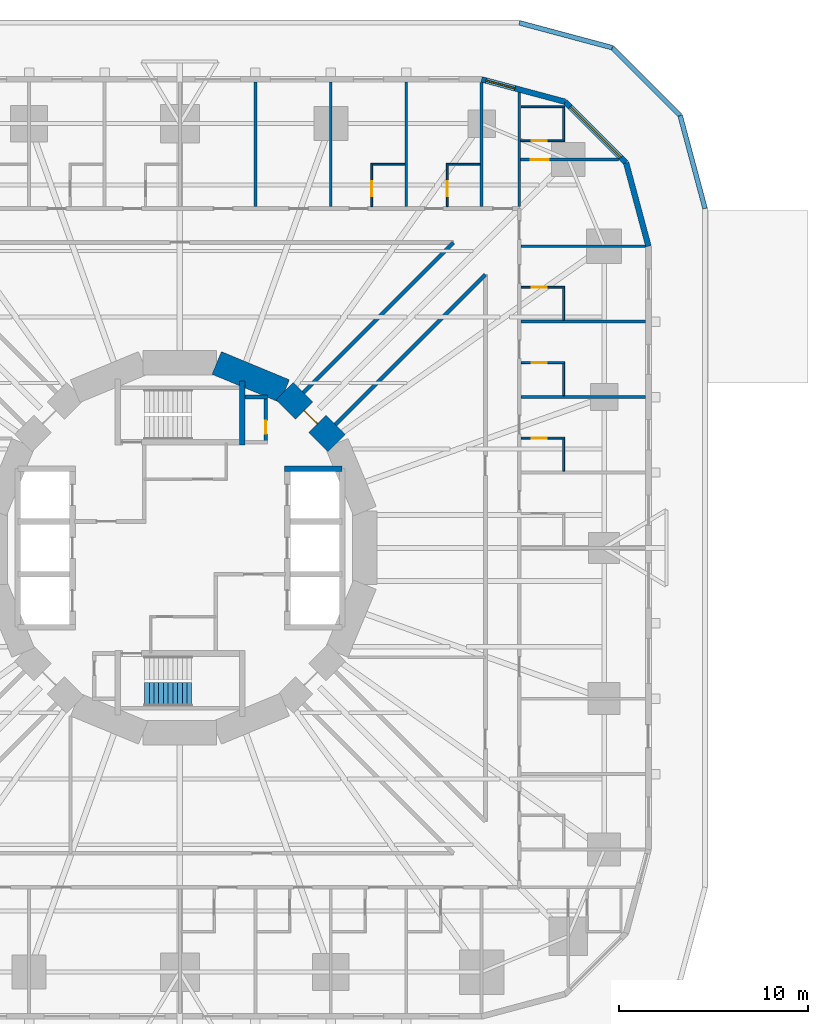
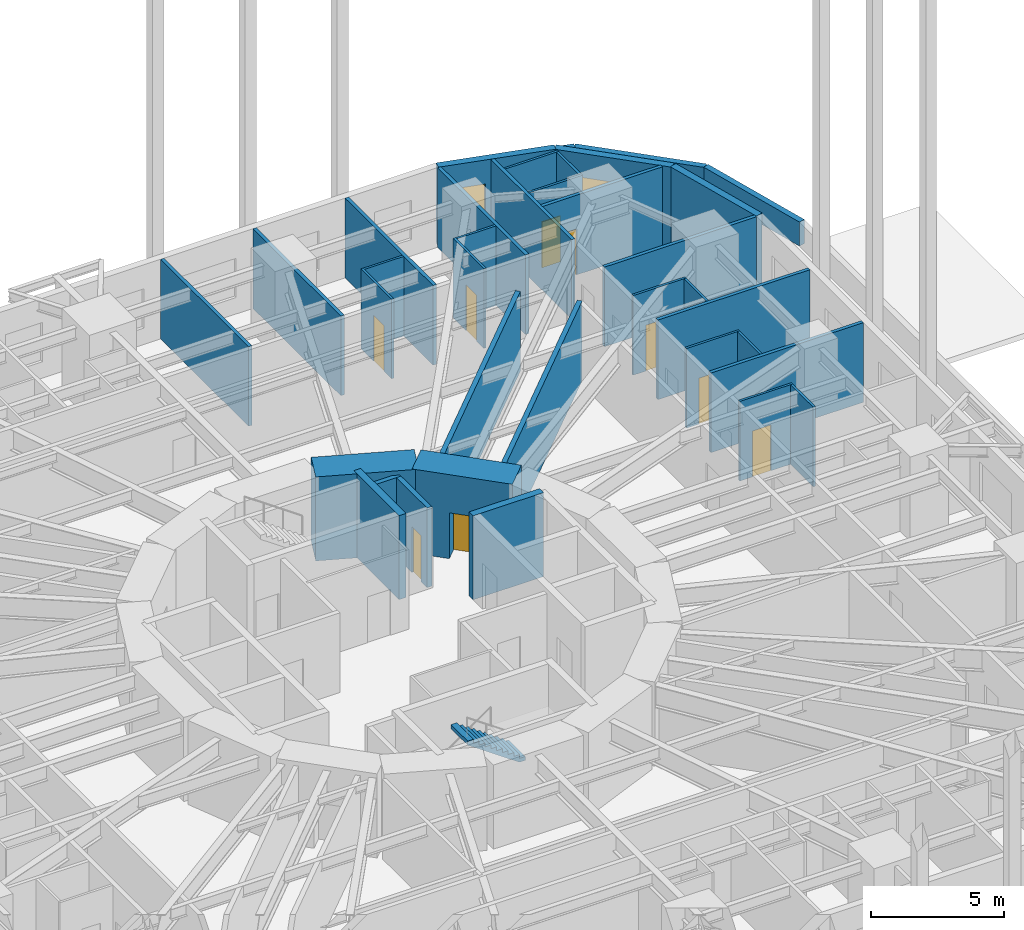
# One storey, part 11 of 13: 36 walls, 9 doors, 2 windows, 1 stair flight, 11 openings, 1 element without a shape of its own.
"""IFC4 building model written with IfcOpenShell, lengths in metres."""

from ifc_helpers import new_model, si_unit, direction, frame, frame_2d, origin, place, context, subcontext, project, spatial, polyline, rectangle, outline, extrude, material, layer, layer_set, type_object, element, fill, aggregate, save


model = new_model("IFC4")

# Units and contexts
model_context = context("Model", 3, precision=1e-05, world=origin(), true_north=direction((0.0, 1.0)))
body_context = subcontext(model_context, "Body", "Model", "MODEL_VIEW")
ifc_project = project(units=[si_unit("LENGTHUNIT", "METRE"), si_unit("AREAUNIT", "SQUARE_METRE"), si_unit("VOLUMEUNIT", "CUBIC_METRE"), si_unit("PLANEANGLEUNIT", "RADIAN"), si_unit("MASSUNIT", "GRAM", prefix="KILO")], contexts=[model_context])

# Site, building, storey
site_placement = place(None, origin())
site = spatial("IfcSite", under=ifc_project, at=site_placement, CompositionType="ELEMENT")
building_placement = place(site_placement, origin())
building = spatial("IfcBuilding", under=site, at=building_placement, Name="Nakasero Lantern House", CompositionType="ELEMENT")
storey_placement = place(building_placement, frame((0.0, 0.0, 16.0)))
storey = spatial("IfcBuildingStorey", under=building, at=storey_placement, Name="L03", CompositionType="ELEMENT", Elevation=16.0)

# Walls
ifc_material_1 = material(Name="Concrete C50/60", Category="concrete")
ifc_layer_1 = layer(ifc_material_1, 0.300048828125)
ifc_layer_set_1 = layer_set([ifc_layer_1], Name="Core inner wall 300")
wall_type_1 = type_object("IfcWallType", Name="Core inner wall 300", PredefinedType="SHEAR", material=ifc_layer_set_1)
wall_1_placement = place(storey_placement, frame((5.550048828125, 4.199951171875, 0.0), z_axis=(0.0, 0.0, 1.0), x_axis=(1.0, 0.0, 0.0)))
element("IfcWall", 1, at=wall_1_placement, inside=storey, type_object=wall_type_1, Name="Core inner wall L03 LEN", PredefinedType="SHEAR", context=body_context, shape_type="SweptSolid", body=[
    extrude(rectangle(XDim=3.050048828125, YDim=0.300048828125, at=frame_2d((1.52490234375, 0.0))), origin(), (0.0, 0.0, 1.0), 3.85009765625),
])
wall_2_placement = place(storey_placement, frame((3.300048828125, 5.449951171875, 0.0), z_axis=(0.0, 0.0, 1.0), x_axis=(0.0, 1.0, 0.0)))
element("IfcWall", 2, at=wall_2_placement, inside=storey, type_object=wall_type_1, Name="Core inner wall L03 SNE", PredefinedType="SHEAR", context=body_context, shape_type="SweptSolid", body=[
    extrude(rectangle(XDim=3.400146484375, YDim=0.300048828125, at=frame_2d((1.7001953125, 0.0))), origin(), (0.0, 0.0, 1.0), 3.85009765625),
])

# Wall, opening, door
ifc_material_2 = material(Name="Concrete C50/60", Category="concrete")
ifc_layer_2 = layer(ifc_material_2, 1.300048828125)
ifc_layer_set_2 = layer_set([ifc_layer_2], Name="Core wall 1300")
wall_type_2 = type_object("IfcWallType", Name="Core wall 1300", PredefinedType="SHEAR", material=ifc_layer_set_2)
wall_3_placement = place(storey_placement, frame((8.314697265625, 5.5556640625, 0.0), z_axis=(0.0, 0.0, 1.0), x_axis=(-0.707106781187, 0.707106781187, 0.0)))
wall_3 = element("IfcWall", 3, at=wall_3_placement, inside=storey, type_object=wall_type_2, Name="Core wall L03 facet 2", PredefinedType="SHEAR", context=body_context, shape_type="SweptSolid", body=[
    extrude(rectangle(XDim=3.90185546875, YDim=1.300048828125, at=frame_2d((1.950927734375, 0.0))), origin(), (0.0, 0.0, 1.0), 3.85009765625),
])
opening_1_placement = place(wall_3_placement, frame((1.450927734375, 0.0, 0.0)))
opening_1 = element("IfcOpeningElement", 4, at=opening_1_placement, cuts=wall_3, Name="Opening D05", PredefinedType="OPENING", context=body_context, shape_type="SweptSolid", body=[
    extrude(rectangle(XDim=1.0, YDim=2.10009765625, at=frame_2d((0.5, 1.050048828125))), frame((0.0, 0.669921875, 0.0), z_axis=(0.0, -1.0, 0.0), x_axis=(1.0, 0.0, 0.0)), (0.0, 0.0, 1.0), 1.340087890625),
])
ifc_material_3 = material(Name="Timber C24", Category="wood")
door_type_1 = type_object("IfcDoorType", Name="Core door FD60S 1000", OperationType="SINGLE_SWING_LEFT", PredefinedType="DOOR", material=ifc_material_3)
door_1_placement = place(opening_1_placement, origin())
door_1 = element("IfcDoor", 5, at=door_1_placement, inside=storey, type_object=door_type_1, Name="Door L03 D-CORE02", OperationType="SINGLE_SWING_LEFT", OverallHeight=2.10009765625, OverallWidth=1.0, PredefinedType="DOOR", context=body_context, shape_type="SweptSolid", body=[
    extrude(rectangle(XDim=1.0, YDim=2.10009765625, at=frame_2d((0.5, 1.050048828125))), frame((0.0, 0.02490234375, 0.0), z_axis=(0.0, -1.0, 0.0), x_axis=(1.0, 0.0, 0.0)), (0.0, 0.0, 1.0), 0.050048828125),
])
fill(opening_1, door_1)

# Walls
wall_4_placement = place(storey_placement, frame((5.5556640625, 8.314697265625, 0.0), z_axis=(0.0, 0.0, 1.0), x_axis=(-0.923876507187, 0.382690736062, 0.0)))
element("IfcWall", 6, at=wall_4_placement, inside=storey, type_object=wall_type_2, Name="Core wall L03 facet 3", PredefinedType="SHEAR", context=body_context, shape_type="SweptSolid", body=[
    extrude(rectangle(XDim=3.90185546875, YDim=1.300048828125, at=frame_2d((1.950927734375, 0.0))), origin(), (0.0, 0.0, 1.0), 3.85009765625),
])
ifc_material_4 = material(Name="Blockwork", Category="masonry")
ifc_layer_3 = layer(ifc_material_4, 0.199951171875)
ifc_layer_set_3 = layer_set([ifc_layer_3], Name="Corridor wall 200")
wall_type_3 = type_object("IfcWallType", Name="Corridor wall 200", PredefinedType="PARTITIONING", material=ifc_layer_set_3)
for number, where, z_axis, x_axis, name in (
    (7, (6.54638671875, 8.243408203125, 0.0), (0.0, 0.0, 1.0), (0.707106781187, 0.707106781187, 0.0), "Corridor wall L03 PS02a"),
    (8, (8.243408203125, 6.54638671875, 0.0), (0.0, 0.0, 1.0), (0.707106781187, 0.707106781187, 0.0), "Corridor wall L03 PS02b"),
):
    element("IfcWall", number, at=place(storey_placement, frame(where, z_axis=z_axis, x_axis=x_axis)), inside=storey, type_object=wall_type_3, Name=name, PredefinedType="PARTITIONING", context=body_context, shape_type="SweptSolid", body=[
        extrude(rectangle(XDim=11.252197265625, YDim=0.199951171875, at=frame_2d((5.6259765625, 0.0))), origin(), (0.0, 0.0, 1.0), 3.64990234375),
    ])

# Wall, opening, door
ifc_material_5 = material(Name="Blockwork", Category="masonry")
ifc_layer_4 = layer(ifc_material_5, 0.10009765625)
ifc_layer_set_4 = layer_set([ifc_layer_4], Name="En-suite wall 100")
wall_type_4 = type_object("IfcWallType", Name="En-suite wall 100", PredefinedType="PARTITIONING", material=ifc_layer_set_4)
wall_5_placement = place(storey_placement, frame((18.10009765625, 5.824951171875, 0.0), z_axis=(0.0, 0.0, 1.0), x_axis=(1.0, 0.0, 0.0)))
wall_5 = element("IfcWall", 9, at=wall_5_placement, inside=storey, type_object=wall_type_4, Name="En-suite wall L03 ES0-06", PredefinedType="PARTITIONING", context=body_context, shape_type="SweptSolid", body=[
    extrude(rectangle(XDim=2.2998046875, YDim=0.10009765625, at=frame_2d((1.14990234375, 0.0))), origin(), (0.0, 0.0, 1.0), 3.64990234375),
])
opening_2_placement = place(wall_5_placement, frame((0.550048828125, 0.0, 0.0)))
opening_2 = element("IfcOpeningElement", 10, at=opening_2_placement, cuts=wall_5, Name="Opening D02", PredefinedType="OPENING", context=body_context, shape_type="SweptSolid", body=[
    extrude(rectangle(XDim=0.800048828125, YDim=2.10009765625, at=frame_2d((0.39990234375, 1.050048828125))), frame((0.0, 0.070068359375, 0.0), z_axis=(0.0, -1.0, 0.0), x_axis=(1.0, 0.0, 0.0)), (0.0, 0.0, 1.0), 0.14013671875),
])
ifc_material_6 = material(Name="Timber C24", Category="wood")
door_type_2 = type_object("IfcDoorType", Name="En-suite door 800", OperationType="SINGLE_SWING_RIGHT", PredefinedType="DOOR", material=ifc_material_6)
door_2_placement = place(opening_2_placement, origin())
door_2 = element("IfcDoor", 11, at=door_2_placement, inside=storey, type_object=door_type_2, Name="Door L03 DE0-06", OperationType="SINGLE_SWING_LEFT", OverallHeight=2.10009765625, OverallWidth=0.800048828125, PredefinedType="DOOR", context=body_context, shape_type="SweptSolid", body=[
    extrude(rectangle(XDim=0.800048828125, YDim=2.10009765625, at=frame_2d((0.39990234375, 1.050048828125))), frame((0.0, 0.02490234375, 0.0), z_axis=(0.0, -1.0, 0.0), x_axis=(1.0, 0.0, 0.0)), (0.0, 0.0, 1.0), 0.050048828125),
])
fill(opening_2, door_2)

# Wall
wall_6_placement = place(storey_placement, frame((20.35009765625, 4.074951171875, 0.0), z_axis=(0.0, 0.0, 1.0), x_axis=(0.0, 1.0, 0.0)))
element("IfcWall", 12, at=wall_6_placement, inside=storey, type_object=wall_type_4, Name="En-suite wall L03 EE0-06", PredefinedType="PARTITIONING", context=body_context, shape_type="SweptSolid", body=[
    extrude(rectangle(XDim=1.699951171875, YDim=0.10009765625, at=frame_2d((0.85009765625, 0.0))), origin(), (0.0, 0.0, 1.0), 3.64990234375),
])

# Wall, opening, door
wall_7_placement = place(storey_placement, frame((18.10009765625, 9.824951171875, 0.0), z_axis=(0.0, 0.0, 1.0), x_axis=(1.0, 0.0, 0.0)))
wall_7 = element("IfcWall", 13, at=wall_7_placement, inside=storey, type_object=wall_type_4, Name="En-suite wall L03 ES0-07", PredefinedType="PARTITIONING", context=body_context, shape_type="SweptSolid", body=[
    extrude(rectangle(XDim=2.2998046875, YDim=0.10009765625, at=frame_2d((1.14990234375, 0.0))), origin(), (0.0, 0.0, 1.0), 3.64990234375),
])
opening_3_placement = place(wall_7_placement, frame((0.550048828125, 0.0, 0.0)))
opening_3 = element("IfcOpeningElement", 14, at=opening_3_placement, cuts=wall_7, Name="Opening D02", PredefinedType="OPENING", context=body_context, shape_type="SweptSolid", body=[
    extrude(rectangle(XDim=0.800048828125, YDim=2.10009765625, at=frame_2d((0.39990234375, 1.050048828125))), frame((0.0, 0.070068359375, 0.0), z_axis=(0.0, -1.0, 0.0), x_axis=(1.0, 0.0, 0.0)), (0.0, 0.0, 1.0), 0.14013671875),
])
door_3_placement = place(opening_3_placement, origin())
door_3 = element("IfcDoor", 15, at=door_3_placement, inside=storey, type_object=door_type_2, Name="Door L03 DE0-07", OperationType="SINGLE_SWING_LEFT", OverallHeight=2.10009765625, OverallWidth=0.800048828125, PredefinedType="DOOR", context=body_context, shape_type="SweptSolid", body=[
    extrude(rectangle(XDim=0.800048828125, YDim=2.10009765625, at=frame_2d((0.39990234375, 1.050048828125))), frame((0.0, 0.02490234375, 0.0), z_axis=(0.0, -1.0, 0.0), x_axis=(1.0, 0.0, 0.0)), (0.0, 0.0, 1.0), 0.050048828125),
])
fill(opening_3, door_3)

# Wall
wall_8_placement = place(storey_placement, frame((20.35009765625, 8.074951171875, 0.0), z_axis=(0.0, 0.0, 1.0), x_axis=(0.0, 1.0, 0.0)))
element("IfcWall", 16, at=wall_8_placement, inside=storey, type_object=wall_type_4, Name="En-suite wall L03 EE0-07", PredefinedType="PARTITIONING", context=body_context, shape_type="SweptSolid", body=[
    extrude(rectangle(XDim=1.699951171875, YDim=0.10009765625, at=frame_2d((0.85009765625, 0.0))), origin(), (0.0, 0.0, 1.0), 3.64990234375),
])

# Wall, opening, door
wall_9_placement = place(storey_placement, frame((18.10009765625, 13.824951171875, 0.0), z_axis=(0.0, 0.0, 1.0), x_axis=(1.0, 0.0, 0.0)))
wall_9 = element("IfcWall", 17, at=wall_9_placement, inside=storey, type_object=wall_type_4, Name="En-suite wall L03 ES0-08", PredefinedType="PARTITIONING", context=body_context, shape_type="SweptSolid", body=[
    extrude(rectangle(XDim=2.2998046875, YDim=0.10009765625, at=frame_2d((1.14990234375, 0.0))), origin(), (0.0, 0.0, 1.0), 3.64990234375),
])
opening_4_placement = place(wall_9_placement, frame((0.550048828125, 0.0, 0.0)))
opening_4 = element("IfcOpeningElement", 18, at=opening_4_placement, cuts=wall_9, Name="Opening D02", PredefinedType="OPENING", context=body_context, shape_type="SweptSolid", body=[
    extrude(rectangle(XDim=0.800048828125, YDim=2.10009765625, at=frame_2d((0.39990234375, 1.050048828125))), frame((0.0, 0.070068359375, 0.0), z_axis=(0.0, -1.0, 0.0), x_axis=(1.0, 0.0, 0.0)), (0.0, 0.0, 1.0), 0.14013671875),
])
door_4_placement = place(opening_4_placement, origin())
door_4 = element("IfcDoor", 19, at=door_4_placement, inside=storey, type_object=door_type_2, Name="Door L03 DE0-08", OperationType="SINGLE_SWING_LEFT", OverallHeight=2.10009765625, OverallWidth=0.800048828125, PredefinedType="DOOR", context=body_context, shape_type="SweptSolid", body=[
    extrude(rectangle(XDim=0.800048828125, YDim=2.10009765625, at=frame_2d((0.39990234375, 1.050048828125))), frame((0.0, 0.02490234375, 0.0), z_axis=(0.0, -1.0, 0.0), x_axis=(1.0, 0.0, 0.0)), (0.0, 0.0, 1.0), 0.050048828125),
])
fill(opening_4, door_4)

# Wall
wall_10_placement = place(storey_placement, frame((20.35009765625, 12.074951171875, 0.0), z_axis=(0.0, 0.0, 1.0), x_axis=(0.0, 1.0, 0.0)))
element("IfcWall", 20, at=wall_10_placement, inside=storey, type_object=wall_type_4, Name="En-suite wall L03 EE0-08", PredefinedType="PARTITIONING", context=body_context, shape_type="SweptSolid", body=[
    extrude(rectangle(XDim=1.699951171875, YDim=0.10009765625, at=frame_2d((0.85009765625, 0.0))), origin(), (0.0, 0.0, 1.0), 3.64990234375),
])

# Wall, opening, door
wall_11_placement = place(storey_placement, frame((18.06494140625, 21.59619140625, 0.0), z_axis=(0.0, 0.0, 1.0), x_axis=(1.0, 0.0, 0.0)))
wall_11 = element("IfcWall", 21, at=wall_11_placement, inside=storey, type_object=wall_type_4, Name="En-suite wall L03 ES0-09", PredefinedType="PARTITIONING", context=body_context, shape_type="SweptSolid", body=[
    extrude(rectangle(XDim=2.3349609375, YDim=0.10009765625, at=frame_2d((1.16748046875, 0.0))), origin(), (0.0, 0.0, 1.0), 3.64990234375),
])
opening_5_placement = place(wall_11_placement, frame((0.5849609375, 0.0, 0.0)))
opening_5 = element("IfcOpeningElement", 22, at=opening_5_placement, cuts=wall_11, Name="Opening D02", PredefinedType="OPENING", context=body_context, shape_type="SweptSolid", body=[
    extrude(rectangle(XDim=0.800048828125, YDim=2.10009765625, at=frame_2d((0.39990234375, 1.050048828125))), frame((0.0, 0.070068359375, 0.0), z_axis=(0.0, -1.0, 0.0), x_axis=(1.0, 0.0, 0.0)), (0.0, 0.0, 1.0), 0.14013671875),
])
door_5_placement = place(opening_5_placement, origin())
door_5 = element("IfcDoor", 23, at=door_5_placement, inside=storey, type_object=door_type_2, Name="Door L03 DE0-09", OperationType="SINGLE_SWING_LEFT", OverallHeight=2.10009765625, OverallWidth=0.800048828125, PredefinedType="DOOR", context=body_context, shape_type="SweptSolid", body=[
    extrude(rectangle(XDim=0.800048828125, YDim=2.10009765625, at=frame_2d((0.39990234375, 1.050048828125))), frame((0.0, 0.02490234375, 0.0), z_axis=(0.0, -1.0, 0.0), x_axis=(1.0, 0.0, 0.0)), (0.0, 0.0, 1.0), 0.050048828125),
])
fill(opening_5, door_5)

# Walls
wall_12_placement = place(storey_placement, frame((20.35009765625, 21.646240234375, 0.0), z_axis=(0.0, 0.0, 1.0), x_axis=(0.0, 1.0, 0.0)))
element("IfcWall", 24, at=wall_12_placement, inside=storey, type_object=wall_type_4, Name="En-suite wall L03 EE0-09", PredefinedType="PARTITIONING", context=body_context, shape_type="SweptSolid", body=[
    extrude(rectangle(XDim=1.699951171875, YDim=0.10009765625, at=frame_2d((0.85009765625, 0.0))), origin(), (0.0, 0.0, 1.0), 3.64990234375),
])
wall_13_placement = place(storey_placement, frame((18.10009765625, 23.396240234375, 0.0), z_axis=(0.0, 0.0, 1.0), x_axis=(1.0, 0.0, 0.0)))
element("IfcWall", 25, at=wall_13_placement, inside=storey, type_object=wall_type_4, Name="En-suite wall L03 EV0-09", PredefinedType="PARTITIONING", context=body_context, shape_type="SweptSolid", body=[
    extrude(rectangle(XDim=2.2998046875, YDim=0.10009765625, at=frame_2d((1.14990234375, 0.0))), origin(), (0.0, 0.0, 1.0), 3.64990234375),
])

# Wall, opening, door
wall_14_placement = place(storey_placement, frame((14.175048828125, 18.10009765625, 0.0), z_axis=(0.0, 0.0, 1.0), x_axis=(0.0, 1.0, 0.0)))
wall_14 = element("IfcWall", 26, at=wall_14_placement, inside=storey, type_object=wall_type_4, Name="En-suite wall L03 ES1-01", PredefinedType="PARTITIONING", context=body_context, shape_type="SweptSolid", body=[
    extrude(rectangle(XDim=2.2998046875, YDim=0.10009765625, at=frame_2d((1.14990234375, 0.0))), origin(), (0.0, 0.0, 1.0), 3.64990234375),
])
opening_6_placement = place(wall_14_placement, frame((0.550048828125, 0.0, 0.0)))
opening_6 = element("IfcOpeningElement", 27, at=opening_6_placement, cuts=wall_14, Name="Opening D02", PredefinedType="OPENING", context=body_context, shape_type="SweptSolid", body=[
    extrude(rectangle(XDim=0.800048828125, YDim=2.10009765625, at=frame_2d((0.39990234375, 1.050048828125))), frame((0.0, 0.070068359375, 0.0), z_axis=(0.0, -1.0, 0.0), x_axis=(1.0, 0.0, 0.0)), (0.0, 0.0, 1.0), 0.14013671875),
])
door_6_placement = place(opening_6_placement, origin())
door_6 = element("IfcDoor", 28, at=door_6_placement, inside=storey, type_object=door_type_2, Name="Door L03 DE1-01", OperationType="SINGLE_SWING_LEFT", OverallHeight=2.10009765625, OverallWidth=0.800048828125, PredefinedType="DOOR", context=body_context, shape_type="SweptSolid", body=[
    extrude(rectangle(XDim=0.800048828125, YDim=2.10009765625, at=frame_2d((0.39990234375, 1.050048828125))), frame((0.0, 0.02490234375, 0.0), z_axis=(0.0, -1.0, 0.0), x_axis=(1.0, 0.0, 0.0)), (0.0, 0.0, 1.0), 0.050048828125),
])
fill(opening_6, door_6)

# Wall
wall_15_placement = place(storey_placement, frame((15.925048828125, 20.35009765625, 0.0), z_axis=(0.0, 0.0, 1.0), x_axis=(-1.0, 0.0, 0.0)))
element("IfcWall", 29, at=wall_15_placement, inside=storey, type_object=wall_type_4, Name="En-suite wall L03 EE1-01", PredefinedType="PARTITIONING", context=body_context, shape_type="SweptSolid", body=[
    extrude(rectangle(XDim=1.699951171875, YDim=0.10009765625, at=frame_2d((0.85009765625, 0.0))), origin(), (0.0, 0.0, 1.0), 3.64990234375),
])

# Wall, opening, door
wall_16_placement = place(storey_placement, frame((10.175048828125, 18.10009765625, 0.0), z_axis=(0.0, 0.0, 1.0), x_axis=(0.0, 1.0, 0.0)))
wall_16 = element("IfcWall", 30, at=wall_16_placement, inside=storey, type_object=wall_type_4, Name="En-suite wall L03 ES1-02", PredefinedType="PARTITIONING", context=body_context, shape_type="SweptSolid", body=[
    extrude(rectangle(XDim=2.2998046875, YDim=0.10009765625, at=frame_2d((1.14990234375, 0.0))), origin(), (0.0, 0.0, 1.0), 3.64990234375),
])
opening_7_placement = place(wall_16_placement, frame((0.550048828125, 0.0, 0.0)))
opening_7 = element("IfcOpeningElement", 31, at=opening_7_placement, cuts=wall_16, Name="Opening D02", PredefinedType="OPENING", context=body_context, shape_type="SweptSolid", body=[
    extrude(rectangle(XDim=0.800048828125, YDim=2.10009765625, at=frame_2d((0.39990234375, 1.050048828125))), frame((0.0, 0.070068359375, 0.0), z_axis=(0.0, -1.0, 0.0), x_axis=(1.0, 0.0, 0.0)), (0.0, 0.0, 1.0), 0.14013671875),
])
door_7_placement = place(opening_7_placement, origin())
door_7 = element("IfcDoor", 32, at=door_7_placement, inside=storey, type_object=door_type_2, Name="Door L03 DE1-02", OperationType="SINGLE_SWING_LEFT", OverallHeight=2.10009765625, OverallWidth=0.800048828125, PredefinedType="DOOR", context=body_context, shape_type="SweptSolid", body=[
    extrude(rectangle(XDim=0.800048828125, YDim=2.10009765625, at=frame_2d((0.39990234375, 1.050048828125))), frame((0.0, 0.02490234375, 0.0), z_axis=(0.0, -1.0, 0.0), x_axis=(1.0, 0.0, 0.0)), (0.0, 0.0, 1.0), 0.050048828125),
])
fill(opening_7, door_7)

# Walls
wall_17_placement = place(storey_placement, frame((11.925048828125, 20.35009765625, 0.0), z_axis=(0.0, 0.0, 1.0), x_axis=(-1.0, 0.0, 0.0)))
element("IfcWall", 33, at=wall_17_placement, inside=storey, type_object=wall_type_4, Name="En-suite wall L03 EE1-02", PredefinedType="PARTITIONING", context=body_context, shape_type="SweptSolid", body=[
    extrude(rectangle(XDim=1.699951171875, YDim=0.10009765625, at=frame_2d((0.85009765625, 0.0))), origin(), (0.0, 0.0, 1.0), 3.64990234375),
])
ifc_material_7 = material(Name="Aluminium rainscreen on blockwork", Category="masonry")
ifc_layer_5 = layer(ifc_material_7, 0.300048828125)
ifc_layer_set_5 = layer_set([ifc_layer_5], Name="Facade wall 300")
wall_type_5 = type_object("IfcWallType", Name="Facade wall 300", PredefinedType="SOLIDWALL", material=ifc_layer_set_5)
wall_18_placement = place(storey_placement, frame((24.85009765625, 16.0, 0.0), z_axis=(0.0, 0.0, 1.0), x_axis=(-0.258839972501, 0.965920218567, 0.0)))
element("IfcWall", 34, at=wall_18_placement, inside=storey, type_object=wall_type_5, Name="Facade wall L03 FW0C1", PredefinedType="SOLIDWALL", context=body_context, shape_type="SweptSolid", body=[
    extrude(rectangle(XDim=4.5810546875, YDim=0.300048828125, at=frame_2d((2.29052734375, 0.0))), origin(), (0.0, 0.0, 1.0), 3.64990234375),
])

# Wall, opening, window
wall_19_placement = place(storey_placement, frame((23.664306640625, 20.425048828125, 0.0), z_axis=(0.0, 0.0, 1.0), x_axis=(-0.707106781187, 0.707106781187, 0.0)))
wall_19 = element("IfcWall", 35, at=wall_19_placement, inside=storey, type_object=wall_type_5, Name="Facade wall L03 FW0C2", PredefinedType="SOLIDWALL", context=body_context, shape_type="SweptSolid", body=[
    extrude(rectangle(XDim=4.5810546875, YDim=0.300048828125, at=frame_2d((2.29052734375, 0.0))), origin(), (0.0, 0.0, 1.0), 3.64990234375),
])
opening_8_placement = place(wall_19_placement, frame((0.39990234375, 0.0, 0.75)))
opening_8 = element("IfcOpeningElement", 36, at=opening_8_placement, cuts=wall_19, Name="Opening W237", PredefinedType="OPENING", context=body_context, shape_type="SweptSolid", body=[
    extrude(rectangle(XDim=3.781005859375, YDim=1.800048828125, at=frame_2d((1.890625, 0.89990234375))), frame((0.0, 0.169921875, 0.0), z_axis=(0.0, -1.0, 0.0), x_axis=(1.0, 0.0, 0.0)), (0.0, 0.0, 1.0), 0.340087890625),
])
ifc_material_8 = material(Name="Aluminium 6063-T6 and glass", Category="aluminium")
window_type_1 = type_object("IfcWindowType", Name="Corner window 3781x1800", PartitioningType="SINGLE_PANEL", PredefinedType="WINDOW", material=ifc_material_8)
window_1_placement = place(opening_8_placement, origin())
window_1 = element("IfcWindow", 37, at=window_1_placement, inside=storey, type_object=window_type_1, Name="Window L03 WC0", OverallHeight=1.800048828125, OverallWidth=3.781005859375, PartitioningType="SINGLE_PANEL", PredefinedType="WINDOW", context=body_context, shape_type="SweptSolid", body=[
    extrude(rectangle(XDim=3.781005859375, YDim=1.800048828125, at=frame_2d((1.890625, 0.89990234375))), frame((0.0, 0.030029296875, 0.0), z_axis=(0.0, -1.0, 0.0), x_axis=(1.0, 0.0, 0.0)), (0.0, 0.0, 1.0), 0.06005859375),
])
fill(opening_8, window_1)

wall_20_placement = place(storey_placement, frame((20.425048828125, 23.664306640625, 0.0), z_axis=(0.0, 0.0, 1.0), x_axis=(-0.965920218567, 0.258839972501, 0.0)))
wall_20 = element("IfcWall", 38, at=wall_20_placement, inside=storey, type_object=wall_type_5, Name="Facade wall L03 FW0C3", PredefinedType="SOLIDWALL", context=body_context, shape_type="SweptSolid", body=[
    extrude(rectangle(XDim=4.5810546875, YDim=0.300048828125, at=frame_2d((2.29052734375, 0.0))), origin(), (0.0, 0.0, 1.0), 3.64990234375),
])
opening_9_placement = place(wall_20_placement, frame((2.74609375, 0.0, 0.75)))
opening_9 = element("IfcOpeningElement", 39, at=opening_9_placement, cuts=wall_20, Name="Opening W01", PredefinedType="OPENING", context=body_context, shape_type="SweptSolid", body=[
    extrude(rectangle(XDim=1.60009765625, YDim=1.800048828125, at=frame_2d((0.800048828125, 0.89990234375))), frame((0.0, 0.169921875, 0.0), z_axis=(0.0, -1.0, 0.0), x_axis=(1.0, 0.0, 0.0)), (0.0, 0.0, 1.0), 0.340087890625),
])
ifc_material_9 = material(Name="Aluminium 6063-T6 and glass", Category="aluminium")
window_type_2 = type_object("IfcWindowType", Name="Bedroom window 1600x1800", PartitioningType="SINGLE_PANEL", PredefinedType="WINDOW", material=ifc_material_9)
window_2_placement = place(opening_9_placement, origin())
window_2 = element("IfcWindow", 40, at=window_2_placement, inside=storey, type_object=window_type_2, Name="Window L03 WN1-00", OverallHeight=1.800048828125, OverallWidth=1.60009765625, PartitioningType="SINGLE_PANEL", PredefinedType="WINDOW", context=body_context, shape_type="SweptSolid", body=[
    extrude(rectangle(XDim=1.60009765625, YDim=1.800048828125, at=frame_2d((0.800048828125, 0.89990234375))), frame((0.0, 0.030029296875, 0.0), z_axis=(0.0, -1.0, 0.0), x_axis=(1.0, 0.0, 0.0)), (0.0, 0.0, 1.0), 0.06005859375),
])
fill(opening_9, window_2)

# Wall, opening, door
ifc_material_10 = material(Name="Blockwork", Category="masonry")
ifc_layer_6 = layer(ifc_material_10, 0.199951171875)
ifc_layer_set_6 = layer_set([ifc_layer_6], Name="Fire lobby wall 200")
wall_type_6 = type_object("IfcWallType", Name="Fire lobby wall 200", PredefinedType="PARTITIONING", material=ifc_layer_set_6)
wall_21_placement = place(storey_placement, frame((4.550048828125, 5.60009765625, 0.0), z_axis=(0.0, 0.0, 1.0), x_axis=(0.0, 1.0, 0.0)))
wall_21 = element("IfcWall", 41, at=wall_21_placement, inside=storey, type_object=wall_type_6, Name="Fire lobby wall L03 W-RS1E", PredefinedType="PARTITIONING", context=body_context, shape_type="SweptSolid", body=[
    extrude(rectangle(XDim=2.39990234375, YDim=0.199951171875, at=frame_2d((1.199951171875, 0.0))), origin(), (0.0, 0.0, 1.0), 3.64990234375),
])
opening_10_placement = place(wall_21_placement, frame((0.449951171875, 0.0, 0.0)))
opening_10 = element("IfcOpeningElement", 42, at=opening_10_placement, cuts=wall_21, Name="Opening D06", PredefinedType="OPENING", context=body_context, shape_type="SweptSolid", body=[
    extrude(rectangle(XDim=0.699951171875, YDim=2.10009765625, at=frame_2d((0.35009765625, 1.050048828125))), frame((0.0, 0.119873046875, 0.0), z_axis=(0.0, -1.0, 0.0), x_axis=(1.0, 0.0, 0.0)), (0.0, 0.0, 1.0), 0.239990234375),
])
ifc_material_11 = material(Name="Steel S355", Category="steel")
door_type_3 = type_object("IfcDoorType", Name="Riser door FD60 700", OperationType="SINGLE_SWING_LEFT", PredefinedType="DOOR", material=ifc_material_11)
door_8_placement = place(opening_10_placement, origin())
door_8 = element("IfcDoor", 43, at=door_8_placement, inside=storey, type_object=door_type_3, Name="Door L03 D-RS1", OperationType="SINGLE_SWING_LEFT", OverallHeight=2.10009765625, OverallWidth=0.699951171875, PredefinedType="DOOR", context=body_context, shape_type="SweptSolid", body=[
    extrude(rectangle(XDim=0.699951171875, YDim=2.10009765625, at=frame_2d((0.35009765625, 1.050048828125))), frame((0.0, 0.02490234375, 0.0), z_axis=(0.0, -1.0, 0.0), x_axis=(1.0, 0.0, 0.0)), (0.0, 0.0, 1.0), 0.050048828125),
])
fill(opening_10, door_8)

# Walls
wall_22_placement = place(storey_placement, frame((3.449951171875, 8.0, 0.0), z_axis=(0.0, 0.0, 1.0), x_axis=(1.0, 0.0, 0.0)))
element("IfcWall", 44, at=wall_22_placement, inside=storey, type_object=wall_type_6, Name="Fire lobby wall L03 W-RS1N", PredefinedType="PARTITIONING", context=body_context, shape_type="SweptSolid", body=[
    extrude(rectangle(XDim=1.199951171875, YDim=0.199951171875, at=frame_2d((0.60009765625, 0.0))), origin(), (0.0, 0.0, 1.0), 3.64990234375),
])
ifc_material_12 = material(Name="Concrete C35/45", Category="concrete")
ifc_layer_7 = layer(ifc_material_12, 0.25)
ifc_layer_set_7 = layer_set([ifc_layer_7], Name="Parapet 250")
wall_type_7 = type_object("IfcWallType", Name="Parapet 250", PredefinedType="SOLIDWALL", material=ifc_layer_set_7)
wall_23_placement = place(storey_placement, frame((27.85009765625, 18.0, 0.0), z_axis=(0.0, 0.0, 1.0), x_axis=(-0.25884857203, 0.965917914089, 0.0)))
element("IfcWall", 45, at=wall_23_placement, inside=storey, type_object=wall_type_7, Name="Parapet L03 PP0C1", PredefinedType="SOLIDWALL", context=body_context, shape_type="SweptSolid", body=[
    extrude(rectangle(XDim=5.098876953125, YDim=0.25, at=frame_2d((2.54931640625, 0.0))), origin(), (0.0, 0.0, 1.0), 1.10009765625),
])
wall_24_placement = place(storey_placement, frame((26.5302734375, 22.925048828125, 0.0), z_axis=(0.0, 0.0, 1.0), x_axis=(-0.707106781187, 0.707106781187, 0.0)))
element("IfcWall", 46, at=wall_24_placement, inside=storey, type_object=wall_type_7, Name="Parapet L03 PP0C2", PredefinedType="SOLIDWALL", context=body_context, shape_type="SweptSolid", body=[
    extrude(rectangle(XDim=5.0986328125, YDim=0.25, at=frame_2d((2.54931640625, 0.0))), origin(), (0.0, 0.0, 1.0), 1.10009765625),
])
wall_25_placement = place(storey_placement, frame((22.925048828125, 26.5302734375, 0.0), z_axis=(0.0, 0.0, 1.0), x_axis=(-0.965917914089, 0.25884857203, 0.0)))
element("IfcWall", 47, at=wall_25_placement, inside=storey, type_object=wall_type_7, Name="Parapet L03 PP0C3", PredefinedType="SOLIDWALL", context=body_context, shape_type="SweptSolid", body=[
    extrude(rectangle(XDim=5.098876953125, YDim=0.25, at=frame_2d((2.54931640625, 0.0))), origin(), (0.0, 0.0, 1.0), 1.10009765625),
])
ifc_material_13 = material(Name="Blockwork", Category="masonry")
ifc_layer_8 = layer(ifc_material_13, 0.14990234375)
ifc_layer_set_8 = layer_set([ifc_layer_8], Name="Party wall 150")
wall_type_8 = type_object("IfcWallType", Name="Party wall 150", PredefinedType="PARTITIONING", material=ifc_layer_set_8)
for number, where, z_axis, x_axis, name in (
    (48, (18.10009765625, 8.0, 0.0), (0.0, 0.0, 1.0), (1.0, 0.0, 0.0), "Party wall L03 PW0-07"),
    (49, (18.10009765625, 12.0, 0.0), (0.0, 0.0, 1.0), (1.0, 0.0, 0.0), "Party wall L03 PW0-08"),
):
    element("IfcWall", number, at=place(storey_placement, frame(where, z_axis=z_axis, x_axis=x_axis)), inside=storey, type_object=wall_type_8, Name=name, PredefinedType="PARTITIONING", context=body_context, shape_type="SweptSolid", body=[
        extrude(rectangle(XDim=6.599853515625, YDim=0.14990234375, at=frame_2d((3.2998046875, 0.0))), origin(), (0.0, 0.0, 1.0), 3.64990234375),
    ])
wall_26_placement = place(storey_placement, frame((18.10009765625, 16.0, 0.0), z_axis=(0.0, 0.0, 1.0), x_axis=(1.0, 0.0, 0.0)))
element("IfcWall", 50, at=wall_26_placement, inside=storey, type_object=wall_type_8, Name="Party wall L03 PW0-09", PredefinedType="PARTITIONING", context=body_context, shape_type="SweptSolid", body=[
    extrude(rectangle(XDim=6.58935546875, YDim=0.14990234375, at=frame_2d((3.294677734375, 0.0))), origin(), (0.0, 0.0, 1.0), 3.64990234375),
])

# Wall, opening, door
wall_27_placement = place(storey_placement, frame((18.06494140625, 20.59619140625, 0.0), z_axis=(0.0, 0.0, 1.0), x_axis=(1.0, 0.0, 0.0)))
wall_27 = element("IfcWall", 51, at=wall_27_placement, inside=storey, type_object=wall_type_8, Name="Party wall L03 PC0", PredefinedType="PARTITIONING", context=body_context, shape_type="SweptSolid", body=[
    extrude(rectangle(XDim=5.208740234375, YDim=0.14990234375, at=frame_2d((2.6044921875, 0.0))), origin(), (0.0, 0.0, 1.0), 3.64990234375),
])
opening_11_placement = place(wall_27_placement, frame((0.534912109375, 0.0, 0.0)))
opening_11 = element("IfcOpeningElement", 52, at=opening_11_placement, cuts=wall_27, Name="Opening D01", PredefinedType="OPENING", context=body_context, shape_type="SweptSolid", body=[
    extrude(rectangle(XDim=0.949951171875, YDim=2.10009765625, at=frame_2d((0.47509765625, 1.050048828125))), frame((0.0, 0.094970703125, 0.0), z_axis=(0.0, -1.0, 0.0), x_axis=(1.0, 0.0, 0.0)), (0.0, 0.0, 1.0), 0.18994140625),
])
ifc_material_14 = material(Name="Timber C24", Category="wood")
door_type_4 = type_object("IfcDoorType", Name="Bedroom door FD30S 950", OperationType="SINGLE_SWING_LEFT", PredefinedType="DOOR", material=ifc_material_14)
door_9_placement = place(opening_11_placement, origin())
door_9 = element("IfcDoor", 53, at=door_9_placement, inside=storey, type_object=door_type_4, Name="Door L03 DC0", OperationType="SINGLE_SWING_LEFT", OverallHeight=2.10009765625, OverallWidth=0.949951171875, PredefinedType="DOOR", context=body_context, shape_type="SweptSolid", body=[
    extrude(rectangle(XDim=0.949951171875, YDim=2.10009765625, at=frame_2d((0.47509765625, 1.050048828125))), frame((0.0, 0.02490234375, 0.0), z_axis=(0.0, -1.0, 0.0), x_axis=(1.0, 0.0, 0.0)), (0.0, 0.0, 1.0), 0.050048828125),
])
fill(opening_11, door_9)

# Walls
wall_28_placement = place(storey_placement, frame((18.0, 18.10009765625, 0.0), z_axis=(0.0, 0.0, 1.0), x_axis=(0.0, 1.0, 0.0)))
element("IfcWall", 54, at=wall_28_placement, inside=storey, type_object=wall_type_8, Name="Party wall L03 PW1-00", PredefinedType="PARTITIONING", context=body_context, shape_type="SweptSolid", body=[
    extrude(rectangle(XDim=6.053466796875, YDim=0.14990234375, at=frame_2d((3.02685546875, 0.0))), origin(), (0.0, 0.0, 1.0), 3.64990234375),
])
wall_29_placement = place(storey_placement, frame((16.0, 18.10009765625, 0.0), z_axis=(0.0, 0.0, 1.0), x_axis=(0.0, 1.0, 0.0)))
element("IfcWall", 55, at=wall_29_placement, inside=storey, type_object=wall_type_8, Name="Party wall L03 PW1-01", PredefinedType="PARTITIONING", context=body_context, shape_type="SweptSolid", body=[
    extrude(rectangle(XDim=6.58935546875, YDim=0.14990234375, at=frame_2d((3.294677734375, 0.0))), origin(), (0.0, 0.0, 1.0), 3.64990234375),
])
for number, where, z_axis, x_axis, name in (
    (56, (12.0, 18.10009765625, 0.0), (0.0, 0.0, 1.0), (0.0, 1.0, 0.0), "Party wall L03 PW1-02"),
    (57, (8.0, 18.10009765625, 0.0), (0.0, 0.0, 1.0), (0.0, 1.0, 0.0), "Party wall L03 PW1-03"),
    (58, (4.0, 18.10009765625, 0.0), (0.0, 0.0, 1.0), (0.0, 1.0, 0.0), "Party wall L03 PW1-04"),
):
    element("IfcWall", number, at=place(storey_placement, frame(where, z_axis=z_axis, x_axis=x_axis)), inside=storey, type_object=wall_type_8, Name=name, PredefinedType="PARTITIONING", context=body_context, shape_type="SweptSolid", body=[
        extrude(rectangle(XDim=6.599853515625, YDim=0.14990234375, at=frame_2d((3.2998046875, 0.0))), origin(), (0.0, 0.0, 1.0), 3.64990234375),
    ])

# Stair, stair flight
ifc_material_15 = material(Name="Concrete C40/50", Category="concrete")
stair_type = type_object("IfcStairType", Name="Escape stair ST2 22 risers", PredefinedType="HALF_TURN_STAIR", material=ifc_material_15)
stair_placement = place(storey_placement, origin())
stair = element("IfcStair", 59, at=stair_placement, inside=storey, type_object=stair_type, Name="Escape stair ST2 L03", PredefinedType="HALF_TURN_STAIR")
ifc_material_16 = material(Name="Concrete C40/50", Category="concrete")
stair_flight_type = type_object("IfcStairFlightType", Name="Escape stair flight", PredefinedType="STRAIGHT", material=ifc_material_16)
stair_flight_placement = place(storey_placement, frame((0.625, -7.77490234375, 1.925048828125), z_axis=(0.0, 0.0, 1.0), x_axis=(-1.0, 0.0, 0.0)))
stair_flight = element("IfcStairFlight", 60, at=stair_flight_placement, type_object=stair_flight_type, Name="ST2 flight 2", NumberOfRisers=11, NumberOfTreads=10, PredefinedType="STRAIGHT", RiserHeight=0.175, TreadLength=0.25, context=body_context, shape_type="SweptSolid", body=[
    extrude(outline(polyline([(0.0, 0.0), (0.0, 0.175048828125), (0.25, 0.175048828125), (0.25, 0.35009765625), (0.5, 0.35009765625), (0.5, 0.52490234375), (0.75, 0.52490234375), (0.75, 0.699951171875), (1.0, 0.699951171875), (1.0, 0.875), (1.25, 0.875), (1.25, 1.050048828125), (1.5, 1.050048828125), (1.5, 1.22509765625), (1.75, 1.22509765625), (1.75, 1.39990234375), (2.0, 1.39990234375), (2.0, 1.574951171875), (2.25, 1.574951171875), (2.25, 1.75), (2.5, 1.75), (2.5, 1.925048828125), (2.5, 1.567138671875), (0.261474609375, 0.0), (0.0, 0.0)])), frame((0.0, 0.625, 0.0), z_axis=(0.0, -1.0, 0.0), x_axis=(1.0, 0.0, 0.0)), (0.0, 0.0, 1.0), 1.25),
])
aggregate(stair, [stair_flight])

save(model, "model.ifc")
